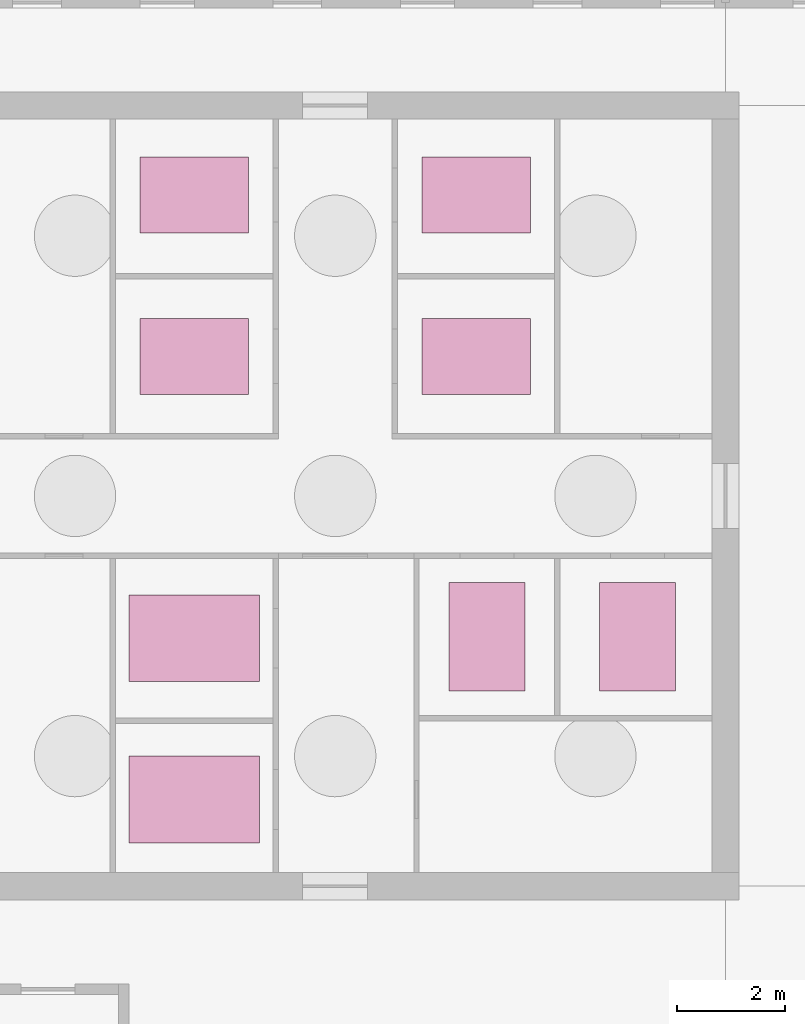
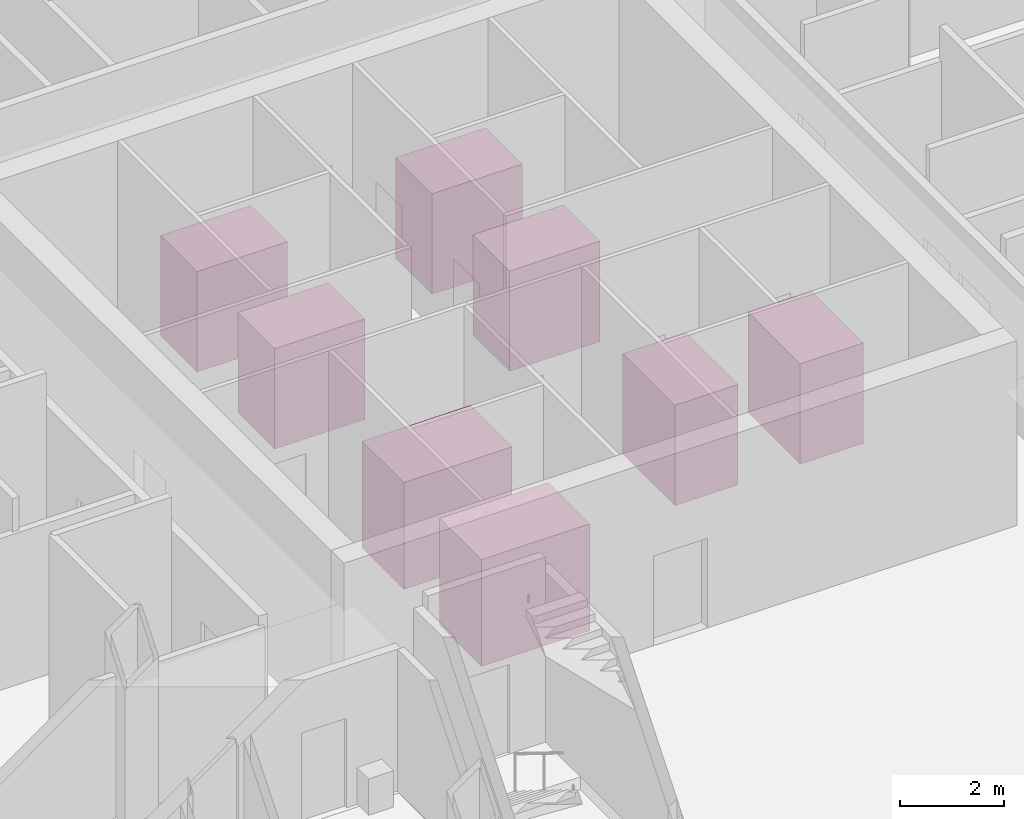
# One storey, part 22 of 22: 8 transport elements.
"""IFC4 building model written with IfcOpenShell, lengths in metres."""

from ifc_helpers import new_model, si_unit, direction, frame, origin, origin_2d, place, context, subcontext, project, spatial, rectangle, extrude, material, type_object, element, save


model = new_model("IFC4")

# Units and contexts
model_context = context("Model", 3, precision=1e-05, world=origin(), true_north=direction((0.0, 1.0)))
body_context = subcontext(model_context, "Body", "Model", "MODEL_VIEW")
ifc_project = project(units=[si_unit("LENGTHUNIT", "METRE"), si_unit("AREAUNIT", "SQUARE_METRE"), si_unit("VOLUMEUNIT", "CUBIC_METRE"), si_unit("PLANEANGLEUNIT", "RADIAN"), si_unit("MASSUNIT", "GRAM", prefix="KILO")], contexts=[model_context])

# Site, building, storey
site_placement = place(None, origin())
site = spatial("IfcSite", under=ifc_project, at=site_placement, CompositionType="ELEMENT")
building_placement = place(site_placement, origin())
building = spatial("IfcBuilding", under=site, at=building_placement, Name="Kvirike Care Tower", CompositionType="ELEMENT")
storey_placement = place(building_placement, origin())
storey = spatial("IfcBuildingStorey", under=building, at=storey_placement, Name="L00", CompositionType="ELEMENT", Elevation=0.0)

# Transport elements
ifc_material_1 = material(Name="Lift car steel and glass", Category="steel")
transport_element_type_1 = type_object("IfcTransportElementType", Name="FIRE-FIGHTING PASSENGER LIFT 1600 KG", PredefinedType="ELEVATOR", material=ifc_material_1)
for number, where, z_axis, x_axis, name in (
    (1, (19.0, 30.39990234375, 0.0), (0.0, 0.0, 1.0), (1.0, 0.0, 0.0), "Lift FF1"),
    (2, (19.0, 33.375, 0.0), (0.0, 0.0, 1.0), (1.0, 0.0, 0.0), "Lift FF2"),
):
    element("IfcTransportElement", number, at=place(storey_placement, frame(where, z_axis=z_axis, x_axis=x_axis)), inside=storey, type_object=transport_element_type_1, Name=name, PredefinedType="ELEVATOR", context=body_context, shape_type="SweptSolid", body=[
        extrude(rectangle(XDim=2.39990234375, YDim=1.60009765625, at=origin_2d()), origin(), (0.0, 0.0, 1.0), 2.5),
    ])
ifc_material_2 = material(Name="Lift car steel and glass", Category="steel")
transport_element_type_2 = type_object("IfcTransportElementType", Name="PASSENGER LIFT 1275 KG", PredefinedType="ELEVATOR", material=ifc_material_2)
for number, where, z_axis, x_axis, name in (
    (3, (19.0, 38.574951171875, 0.0), (0.0, 0.0, 1.0), (1.0, 0.0, 0.0), "Lift P1"),
    (4, (19.0, 41.550048828125, 0.0), (0.0, 0.0, 1.0), (1.0, 0.0, 0.0), "Lift P2"),
    (5, (24.199951171875, 38.574951171875, 0.0), (0.0, 0.0, 1.0), (1.0, 0.0, 0.0), "Lift P3"),
    (6, (24.199951171875, 41.550048828125, 0.0), (0.0, 0.0, 1.0), (1.0, 0.0, 0.0), "Lift P4"),
    (7, (24.39990234375, 33.39990234375, 0.0), (0.0, 0.0, 1.0), (0.0, 1.0, 0.0), "Lift P5"),
    (8, (27.175048828125, 33.39990234375, 0.0), (0.0, 0.0, 1.0), (0.0, 1.0, 0.0), "Lift P6"),
):
    element("IfcTransportElement", number, at=place(storey_placement, frame(where, z_axis=z_axis, x_axis=x_axis)), inside=storey, type_object=transport_element_type_2, Name=name, PredefinedType="ELEVATOR", context=body_context, shape_type="SweptSolid", body=[
        extrude(rectangle(XDim=2.0, YDim=1.39990234375, at=origin_2d()), origin(), (0.0, 0.0, 1.0), 2.35009765625),
    ])

save(model, "model.ifc")
